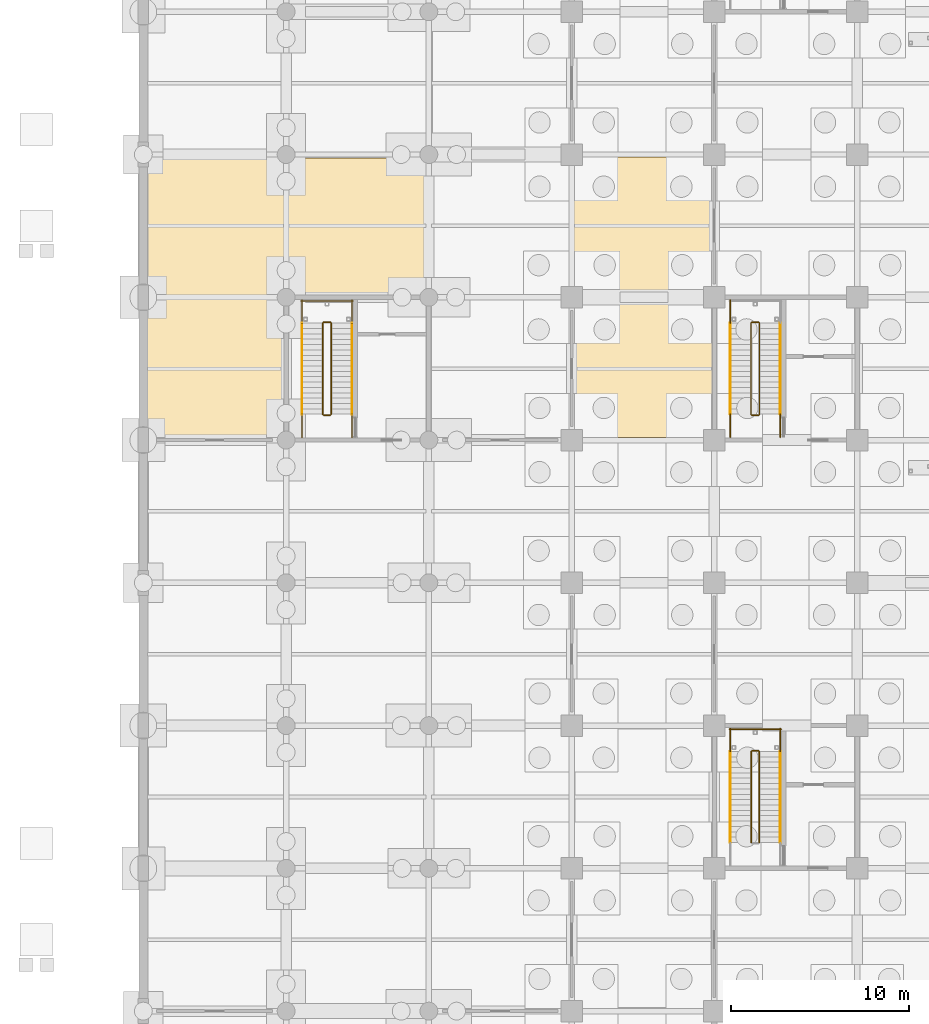
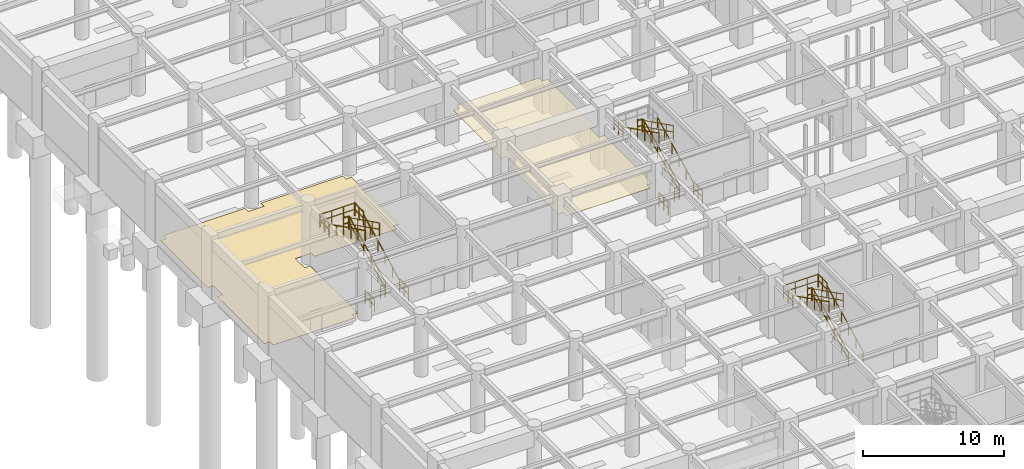
# One storey, part 90 of 97: 28 railings, 2 coverings.
"""IFC4 building model written with IfcOpenShell, lengths in metres."""

from ifc_helpers import new_model, si_unit, direction, frame, origin, origin_2d, place, context, subcontext, project, spatial, polyline, circle, outline, extrude, material, layer, layer_set, type_object, element, save


model = new_model("IFC4")

# Units and contexts
model_context = context("Model", 3, precision=1e-05, world=origin(), true_north=direction((0.0, 1.0)))
body_context = subcontext(model_context, "Body", "Model", "MODEL_VIEW")
ifc_project = project(units=[si_unit("LENGTHUNIT", "METRE"), si_unit("AREAUNIT", "SQUARE_METRE"), si_unit("VOLUMEUNIT", "CUBIC_METRE"), si_unit("PLANEANGLEUNIT", "RADIAN"), si_unit("MASSUNIT", "GRAM", prefix="KILO")], contexts=[model_context])

# Site, building, storey
site_placement = place(None, origin())
site = spatial("IfcSite", under=ifc_project, at=site_placement, CompositionType="ELEMENT")
building_placement = place(site_placement, origin())
building = spatial("IfcBuilding", under=site, at=building_placement, Name="Haebicheon Civic Stadium", CompositionType="ELEMENT")
storey_placement = place(building_placement, frame((0.0, 0.0, -5.39990234375)))
storey = spatial("IfcBuildingStorey", under=building, at=storey_placement, Name="B1", CompositionType="ELEMENT", Elevation=-5.39990234375)

# Coverings
ifc_material_1 = material(Name="Perforated mineral-fibre acoustic board", Category="gypsum")
ifc_layer_1 = layer(ifc_material_1, 0.0400390625, Name="Perforated mineral-fibre acoustic board")
ifc_layer_set_1 = layer_set([ifc_layer_1], Name="Perforated mineral-fibre acoustic board")
covering_type_1 = type_object("IfcCoveringType", Name="COV-CLG-AC", PredefinedType="CEILING", material=ifc_layer_set_1)
covering_1_placement = place(storey_placement, frame((0.0, 0.0, 2.809814453125)))
element("IfcCovering", 1, at=covering_1_placement, inside=storey, type_object=covering_type_1, material=ifc_layer_set_1, Name="B1 Doping Control and Medical Examination Suite acoustic ceiling", PredefinedType="CEILING", context=body_context, shape_type="SweptSolid", body=[
    extrude(outline(polyline([(24.594970703125, 80.14501953125), (24.594970703125, 80.594970703125), (24.14501953125, 80.594970703125), (24.14501953125, 87.405029296875), (24.594970703125, 87.405029296875), (24.594970703125, 88.594970703125), (24.14501953125, 88.594970703125), (24.14501953125, 95.405029296875), (24.594970703125, 95.405029296875), (24.594970703125, 95.85498046875), (31.405029296875, 95.85498046875), (31.405029296875, 95.405029296875), (31.85498046875, 95.405029296875), (31.85498046875, 88.594970703125), (31.405029296875, 88.594970703125), (31.405029296875, 87.405029296875), (31.85498046875, 87.405029296875), (31.85498046875, 80.594970703125), (31.405029296875, 80.594970703125), (31.405029296875, 80.14501953125), (24.594970703125, 80.14501953125)])), origin(), (0.0, 0.0, 1.0), 0.0400390625),
])
ifc_material_2 = material(Name="Quartz epoxy resin mortar", Category="concrete")
ifc_layer_2 = layer(ifc_material_2, 0.030029296875, Name="Quartz epoxy resin mortar")
ifc_layer_set_2 = layer_set([ifc_layer_2], Name="Quartz epoxy resin mortar")
covering_type_2 = type_object("IfcCoveringType", Name="COV-FLR-EPX", PredefinedType="FLOORING", material=ifc_layer_set_2)
covering_2_placement = place(storey_placement, origin())
element("IfcCovering", 2, at=covering_2_placement, inside=storey, type_object=covering_type_2, material=ifc_layer_set_2, Name="B1 Bicycle Parking and Locker Store non-slip floor finish", PredefinedType="FLOORING", context=body_context, shape_type="SweptSolid", body=[
    extrude(outline(polyline([(0.64990234375, 80.199951171875), (0.64990234375, 80.64990234375), (0.199951171875, 80.64990234375), (0.199951171875, 87.35009765625), (0.64990234375, 87.35009765625), (0.64990234375, 88.64990234375), (0.199951171875, 88.64990234375), (0.199951171875, 95.35009765625), (0.64990234375, 95.35009765625), (0.64990234375, 95.800048828125), (7.35009765625, 95.800048828125), (7.35009765625, 95.35009765625), (8.64990234375, 95.35009765625), (8.64990234375, 95.800048828125), (15.35009765625, 95.800048828125), (15.35009765625, 95.35009765625), (15.800048828125, 95.35009765625), (15.800048828125, 88.64990234375), (15.35009765625, 88.64990234375), (15.35009765625, 88.199951171875), (8.64990234375, 88.199951171875), (8.64990234375, 88.64990234375), (7.35009765625, 88.64990234375), (7.35009765625, 87.35009765625), (7.800048828125, 87.35009765625), (7.800048828125, 80.64990234375), (7.35009765625, 80.64990234375), (7.35009765625, 80.199951171875), (0.64990234375, 80.199951171875)])), origin(), (0.0, 0.0, 1.0), 0.02978515625),
])

# Railings
ifc_material_3 = material(Name="Galvanised painted steel SM355", Category="steel")
railing_type_1 = type_object("IfcRailingType", Name="RL-GRD-1150", PredefinedType="GUARDRAIL", material=ifc_material_3)
railing_1_placement = place(storey_placement, frame((34.510009765625, 57.449951171875, 0.14990234375)))
element("IfcRailing", 3, at=railing_1_placement, inside=storey, type_object=railing_type_1, material=ifc_material_3, Name="B1 ST-02 stair guard 1", PredefinedType="GUARDRAIL", context=body_context, shape_type="SweptSolid", body=[
    extrude(circle(Radius=0.02392578125, at=origin_2d()), frame((0.0, 0.0, 1.1259765625), z_axis=(0.0, 0.894427191, 0.4472135955), x_axis=(-1.0, 0.0, 0.0)), (0.0, 0.0, 1.0), 5.7021484375),
    extrude(circle(Radius=0.02392578125, at=origin_2d()), frame((0.0, 0.0, 0.574951171875), z_axis=(0.0, 0.894427191, 0.4472135955), x_axis=(-1.0, 0.0, 0.0)), (0.0, 0.0, 1.0), 5.7021484375),
    extrude(circle(Radius=0.02099609375, at=origin_2d()), origin(), (0.0, 0.0, 1.0), 1.101806640625),
    extrude(circle(Radius=0.02099609375, at=origin_2d()), frame((0.0, 1.02001953125, 0.510009765625)), (0.0, 0.0, 1.0), 1.101806640625),
    extrude(circle(Radius=0.02099609375, at=origin_2d()), frame((0.0, 2.0400390625, 1.02001953125)), (0.0, 0.0, 1.0), 1.101806640625),
    extrude(circle(Radius=0.02099609375, at=origin_2d()), frame((0.0, 3.06005859375, 1.530029296875)), (0.0, 0.0, 1.0), 1.101806640625),
    extrude(circle(Radius=0.02099609375, at=origin_2d()), frame((0.0, 4.080078125, 2.0400390625)), (0.0, 0.0, 1.0), 1.101806640625),
    extrude(circle(Radius=0.02099609375, at=origin_2d()), frame((0.0, 5.10009765625, 2.550048828125)), (0.0, 0.0, 1.0), 1.101806640625),
])
railing_2_placement = place(storey_placement, frame((34.4599609375, 62.60009765625, 2.699951171875)))
element("IfcRailing", 4, at=railing_2_placement, inside=storey, type_object=railing_type_1, material=ifc_material_3, Name="B1 ST-02 stair guard 2", PredefinedType="GUARDRAIL", context=body_context, shape_type="SweptSolid", body=[
    extrude(circle(Radius=0.02392578125, at=origin_2d()), frame((0.0, 0.0, 1.1259765625), z_axis=(-1.0, 0.0, 0.0), x_axis=(0.0, -1.0, 0.0)), (0.0, 0.0, 1.0), 0.33984375),
    extrude(circle(Radius=0.02392578125, at=origin_2d()), frame((0.0, 0.0, 0.574951171875), z_axis=(-1.0, 0.0, 0.0), x_axis=(0.0, -1.0, 0.0)), (0.0, 0.0, 1.0), 0.33984375),
    extrude(circle(Radius=0.02099609375, at=origin_2d()), origin(), (0.0, 0.0, 1.0), 1.101806640625),
    extrude(circle(Radius=0.02099609375, at=origin_2d()), frame((-0.33984375, 0.0, 0.0)), (0.0, 0.0, 1.0), 1.101806640625),
])
for number, where, name in (
    (5, (35.68994140625, 62.550048828125, 2.699951171875), "B1 ST-02 stair guard 3"),
    (6, (32.889892578125, 62.550048828125, 2.699951171875), "B1 ST-02 stair guard 4"),
):
    element("IfcRailing", number, at=place(storey_placement, frame(where)), inside=storey, type_object=railing_type_1, material=ifc_material_3, Name=name, PredefinedType="GUARDRAIL", context=body_context, shape_type="SweptSolid", body=[
        extrude(circle(Radius=0.02392578125, at=origin_2d()), frame((0.0, 0.0, 1.1259765625), z_axis=(0.0, 1.0, 0.0), x_axis=(-1.0, 0.0, 0.0)), (0.0, 0.0, 1.0), 1.2900390625),
        extrude(circle(Radius=0.02392578125, at=origin_2d()), frame((0.0, 0.0, 0.574951171875), z_axis=(0.0, 1.0, 0.0), x_axis=(-1.0, 0.0, 0.0)), (0.0, 0.0, 1.0), 1.2900390625),
        extrude(circle(Radius=0.02099609375, at=origin_2d()), origin(), (0.0, 0.0, 1.0), 1.101806640625),
        extrude(circle(Radius=0.02099609375, at=origin_2d()), frame((0.0, 0.64501953125, 0.0)), (0.0, 0.0, 1.0), 1.101806640625),
        extrude(circle(Radius=0.02099609375, at=origin_2d()), frame((0.0, 1.2900390625, 0.0)), (0.0, 0.0, 1.0), 1.101806640625),
    ])
railing_3_placement = place(storey_placement, frame((35.739990234375, 63.7900390625, 2.699951171875)))
element("IfcRailing", 7, at=railing_3_placement, inside=storey, type_object=railing_type_1, material=ifc_material_3, Name="B1 ST-02 stair guard 5", PredefinedType="GUARDRAIL", context=body_context, shape_type="SweptSolid", body=[
    extrude(circle(Radius=0.02392578125, at=origin_2d()), frame((0.0, 0.0, 1.1259765625), z_axis=(-1.0, 0.0, 0.0), x_axis=(0.0, -1.0, 0.0)), (0.0, 0.0, 1.0), 2.89990234375),
    extrude(circle(Radius=0.02392578125, at=origin_2d()), frame((0.0, 0.0, 0.574951171875), z_axis=(-1.0, 0.0, 0.0), x_axis=(0.0, -1.0, 0.0)), (0.0, 0.0, 1.0), 2.89990234375),
    extrude(circle(Radius=0.02099609375, at=origin_2d()), origin(), (0.0, 0.0, 1.0), 1.101806640625),
    extrude(circle(Radius=0.02099609375, at=origin_2d()), frame((-0.966552734375, 0.0, 0.0)), (0.0, 0.0, 1.0), 1.101806640625),
    extrude(circle(Radius=0.02099609375, at=origin_2d()), frame((-1.933349609375, 0.0, 0.0)), (0.0, 0.0, 1.0), 1.101806640625),
    extrude(circle(Radius=0.02099609375, at=origin_2d()), frame((-2.89990234375, 0.0, 0.0)), (0.0, 0.0, 1.0), 1.101806640625),
])
railing_4_placement = place(storey_placement, frame((34.070068359375, 62.550048828125, 2.849853515625)))
element("IfcRailing", 8, at=railing_4_placement, inside=storey, type_object=railing_type_1, material=ifc_material_3, Name="B1 ST-02 stair guard 6", PredefinedType="GUARDRAIL", context=body_context, shape_type="SweptSolid", body=[
    extrude(circle(Radius=0.02392578125, at=origin_2d()), frame((0.0, 0.0, 1.1259765625), z_axis=(0.0, -0.894427191, 0.4472135955), x_axis=(1.0, 0.0, 0.0)), (0.0, 0.0, 1.0), 5.7021484375),
    extrude(circle(Radius=0.02392578125, at=origin_2d()), frame((0.0, 0.0, 0.574951171875), z_axis=(0.0, -0.894427191, 0.4472135955), x_axis=(1.0, 0.0, 0.0)), (0.0, 0.0, 1.0), 5.7021484375),
    extrude(circle(Radius=0.02099609375, at=origin_2d()), origin(), (0.0, 0.0, 1.0), 1.101806640625),
    extrude(circle(Radius=0.02099609375, at=origin_2d()), frame((0.0, -1.02001953125, 0.510009765625)), (0.0, 0.0, 1.0), 1.101806640625),
    extrude(circle(Radius=0.02099609375, at=origin_2d()), frame((0.0, -2.0400390625, 1.02001953125)), (0.0, 0.0, 1.0), 1.101806640625),
    extrude(circle(Radius=0.02099609375, at=origin_2d()), frame((0.0, -3.06005859375, 1.530029296875)), (0.0, 0.0, 1.0), 1.101806640625),
    extrude(circle(Radius=0.02099609375, at=origin_2d()), frame((0.0, -4.080078125, 2.0400390625)), (0.0, 0.0, 1.0), 1.101806640625),
    extrude(circle(Radius=0.02099609375, at=origin_2d()), frame((0.0, -5.10009765625, 2.550048828125)), (0.0, 0.0, 1.0), 1.101806640625),
])
railing_5_placement = place(storey_placement, frame((34.530029296875, 81.449951171875, 0.14990234375)))
element("IfcRailing", 9, at=railing_5_placement, inside=storey, type_object=railing_type_1, material=ifc_material_3, Name="B1 ST-03 stair guard 1", PredefinedType="GUARDRAIL", context=body_context, shape_type="SweptSolid", body=[
    extrude(circle(Radius=0.02392578125, at=origin_2d()), frame((0.0, 0.0, 1.1259765625), z_axis=(0.0, 0.894427191, 0.4472135955), x_axis=(-1.0, 0.0, 0.0)), (0.0, 0.0, 1.0), 5.7021484375),
    extrude(circle(Radius=0.02392578125, at=origin_2d()), frame((0.0, 0.0, 0.574951171875), z_axis=(0.0, 0.894427191, 0.4472135955), x_axis=(-1.0, 0.0, 0.0)), (0.0, 0.0, 1.0), 5.7021484375),
    extrude(circle(Radius=0.02099609375, at=origin_2d()), origin(), (0.0, 0.0, 1.0), 1.101806640625),
    extrude(circle(Radius=0.02099609375, at=origin_2d()), frame((0.0, 1.02001953125, 0.510009765625)), (0.0, 0.0, 1.0), 1.101806640625),
    extrude(circle(Radius=0.02099609375, at=origin_2d()), frame((0.0, 2.0400390625, 1.02001953125)), (0.0, 0.0, 1.0), 1.101806640625),
    extrude(circle(Radius=0.02099609375, at=origin_2d()), frame((0.0, 3.06005859375, 1.530029296875)), (0.0, 0.0, 1.0), 1.101806640625),
    extrude(circle(Radius=0.02099609375, at=origin_2d()), frame((0.0, 4.080078125, 2.0400390625)), (0.0, 0.0, 1.0), 1.101806640625),
    extrude(circle(Radius=0.02099609375, at=origin_2d()), frame((0.0, 5.10009765625, 2.550048828125)), (0.0, 0.0, 1.0), 1.101806640625),
])
railing_6_placement = place(storey_placement, frame((34.47998046875, 86.60009765625, 2.699951171875)))
element("IfcRailing", 10, at=railing_6_placement, inside=storey, type_object=railing_type_1, material=ifc_material_3, Name="B1 ST-03 stair guard 2", PredefinedType="GUARDRAIL", context=body_context, shape_type="SweptSolid", body=[
    extrude(circle(Radius=0.02392578125, at=origin_2d()), frame((0.0, 0.0, 1.1259765625), z_axis=(-1.0, 0.0, 0.0), x_axis=(0.0, -1.0, 0.0)), (0.0, 0.0, 1.0), 0.3798828125),
    extrude(circle(Radius=0.02392578125, at=origin_2d()), frame((0.0, 0.0, 0.574951171875), z_axis=(-1.0, 0.0, 0.0), x_axis=(0.0, -1.0, 0.0)), (0.0, 0.0, 1.0), 0.3798828125),
    extrude(circle(Radius=0.02099609375, at=origin_2d()), origin(), (0.0, 0.0, 1.0), 1.101806640625),
    extrude(circle(Radius=0.02099609375, at=origin_2d()), frame((-0.3798828125, 0.0, 0.0)), (0.0, 0.0, 1.0), 1.101806640625),
])
railing_7_placement = place(storey_placement, frame((32.889892578125, 86.550048828125, 2.699951171875)))
element("IfcRailing", 11, at=railing_7_placement, inside=storey, type_object=railing_type_1, material=ifc_material_3, Name="B1 ST-03 stair guard 4", PredefinedType="GUARDRAIL", context=body_context, shape_type="SweptSolid", body=[
    extrude(circle(Radius=0.02392578125, at=origin_2d()), frame((0.0, 0.0, 1.1259765625), z_axis=(0.0, 1.0, 0.0), x_axis=(-1.0, 0.0, 0.0)), (0.0, 0.0, 1.0), 1.2900390625),
    extrude(circle(Radius=0.02392578125, at=origin_2d()), frame((0.0, 0.0, 0.574951171875), z_axis=(0.0, 1.0, 0.0), x_axis=(-1.0, 0.0, 0.0)), (0.0, 0.0, 1.0), 1.2900390625),
    extrude(circle(Radius=0.02099609375, at=origin_2d()), origin(), (0.0, 0.0, 1.0), 1.101806640625),
    extrude(circle(Radius=0.02099609375, at=origin_2d()), frame((0.0, 0.64501953125, 0.0)), (0.0, 0.0, 1.0), 1.101806640625),
    extrude(circle(Radius=0.02099609375, at=origin_2d()), frame((0.0, 1.2900390625, 0.0)), (0.0, 0.0, 1.0), 1.101806640625),
])
railing_8_placement = place(storey_placement, frame((34.050048828125, 86.550048828125, 2.849853515625)))
element("IfcRailing", 12, at=railing_8_placement, inside=storey, type_object=railing_type_1, material=ifc_material_3, Name="B1 ST-03 stair guard 6", PredefinedType="GUARDRAIL", context=body_context, shape_type="SweptSolid", body=[
    extrude(circle(Radius=0.02392578125, at=origin_2d()), frame((0.0, 0.0, 1.1259765625), z_axis=(0.0, -0.894427191, 0.4472135955), x_axis=(1.0, 0.0, 0.0)), (0.0, 0.0, 1.0), 5.7021484375),
    extrude(circle(Radius=0.02392578125, at=origin_2d()), frame((0.0, 0.0, 0.574951171875), z_axis=(0.0, -0.894427191, 0.4472135955), x_axis=(1.0, 0.0, 0.0)), (0.0, 0.0, 1.0), 5.7021484375),
    extrude(circle(Radius=0.02099609375, at=origin_2d()), origin(), (0.0, 0.0, 1.0), 1.101806640625),
    extrude(circle(Radius=0.02099609375, at=origin_2d()), frame((0.0, -1.02001953125, 0.510009765625)), (0.0, 0.0, 1.0), 1.101806640625),
    extrude(circle(Radius=0.02099609375, at=origin_2d()), frame((0.0, -2.0400390625, 1.02001953125)), (0.0, 0.0, 1.0), 1.101806640625),
    extrude(circle(Radius=0.02099609375, at=origin_2d()), frame((0.0, -3.06005859375, 1.530029296875)), (0.0, 0.0, 1.0), 1.101806640625),
    extrude(circle(Radius=0.02099609375, at=origin_2d()), frame((0.0, -4.080078125, 2.0400390625)), (0.0, 0.0, 1.0), 1.101806640625),
    extrude(circle(Radius=0.02099609375, at=origin_2d()), frame((0.0, -5.10009765625, 2.550048828125)), (0.0, 0.0, 1.0), 1.101806640625),
])
railing_9_placement = place(storey_placement, frame((34.47998046875, 81.39990234375, 0.0)))
element("IfcRailing", 13, at=railing_9_placement, inside=storey, type_object=railing_type_1, material=ifc_material_3, Name="B1 ST-03 stair guard 7", PredefinedType="GUARDRAIL", context=body_context, shape_type="SweptSolid", body=[
    extrude(circle(Radius=0.02392578125, at=origin_2d()), frame((0.0, 0.0, 1.1259765625), z_axis=(-1.0, 0.0, 0.0), x_axis=(0.0, -1.0, 0.0)), (0.0, 0.0, 1.0), 0.3798828125),
    extrude(circle(Radius=0.02392578125, at=origin_2d()), frame((0.0, 0.0, 0.574951171875), z_axis=(-1.0, 0.0, 0.0), x_axis=(0.0, -1.0, 0.0)), (0.0, 0.0, 1.0), 0.3798828125),
    extrude(circle(Radius=0.02099609375, at=origin_2d()), origin(), (0.0, 0.0, 1.0), 1.101806640625),
    extrude(circle(Radius=0.02099609375, at=origin_2d()), frame((-0.3798828125, 0.0, 0.0)), (0.0, 0.0, 1.0), 1.101806640625),
])
for number, where, name in (
    (14, (35.68994140625, 80.159912109375, 0.0), "B1 ST-03 stair guard 8"),
    (15, (32.889892578125, 80.159912109375, 0.0), "B1 ST-03 stair guard 9"),
):
    element("IfcRailing", number, at=place(storey_placement, frame(where)), inside=storey, type_object=railing_type_1, material=ifc_material_3, Name=name, PredefinedType="GUARDRAIL", context=body_context, shape_type="SweptSolid", body=[
        extrude(circle(Radius=0.02392578125, at=origin_2d()), frame((0.0, 0.0, 1.1259765625), z_axis=(0.0, 1.0, 0.0), x_axis=(-1.0, 0.0, 0.0)), (0.0, 0.0, 1.0), 1.2900390625),
        extrude(circle(Radius=0.02392578125, at=origin_2d()), frame((0.0, 0.0, 0.574951171875), z_axis=(0.0, 1.0, 0.0), x_axis=(-1.0, 0.0, 0.0)), (0.0, 0.0, 1.0), 1.2900390625),
        extrude(circle(Radius=0.02099609375, at=origin_2d()), origin(), (0.0, 0.0, 1.0), 1.101806640625),
        extrude(circle(Radius=0.02099609375, at=origin_2d()), frame((0.0, 0.64501953125, 0.0)), (0.0, 0.0, 1.0), 1.101806640625),
        extrude(circle(Radius=0.02099609375, at=origin_2d()), frame((0.0, 1.2900390625, 0.0)), (0.0, 0.0, 1.0), 1.101806640625),
    ])
railing_10_placement = place(storey_placement, frame((10.530029296875, 81.449951171875, 0.14990234375)))
element("IfcRailing", 16, at=railing_10_placement, inside=storey, type_object=railing_type_1, material=ifc_material_3, Name="B1 ST-15 stair guard 1", PredefinedType="GUARDRAIL", context=body_context, shape_type="SweptSolid", body=[
    extrude(circle(Radius=0.02392578125, at=origin_2d()), frame((0.0, 0.0, 1.1259765625), z_axis=(0.0, 0.894427191, 0.4472135955), x_axis=(-1.0, 0.0, 0.0)), (0.0, 0.0, 1.0), 5.7021484375),
    extrude(circle(Radius=0.02392578125, at=origin_2d()), frame((0.0, 0.0, 0.574951171875), z_axis=(0.0, 0.894427191, 0.4472135955), x_axis=(-1.0, 0.0, 0.0)), (0.0, 0.0, 1.0), 5.7021484375),
    extrude(circle(Radius=0.02099609375, at=origin_2d()), origin(), (0.0, 0.0, 1.0), 1.101806640625),
    extrude(circle(Radius=0.02099609375, at=origin_2d()), frame((0.0, 1.02001953125, 0.510009765625)), (0.0, 0.0, 1.0), 1.101806640625),
    extrude(circle(Radius=0.02099609375, at=origin_2d()), frame((0.0, 2.0400390625, 1.02001953125)), (0.0, 0.0, 1.0), 1.101806640625),
    extrude(circle(Radius=0.02099609375, at=origin_2d()), frame((0.0, 3.06005859375, 1.530029296875)), (0.0, 0.0, 1.0), 1.101806640625),
    extrude(circle(Radius=0.02099609375, at=origin_2d()), frame((0.0, 4.080078125, 2.0400390625)), (0.0, 0.0, 1.0), 1.101806640625),
    extrude(circle(Radius=0.02099609375, at=origin_2d()), frame((0.0, 5.10009765625, 2.550048828125)), (0.0, 0.0, 1.0), 1.101806640625),
])
railing_11_placement = place(storey_placement, frame((10.47998046875, 86.60009765625, 2.699951171875)))
element("IfcRailing", 17, at=railing_11_placement, inside=storey, type_object=railing_type_1, material=ifc_material_3, Name="B1 ST-15 stair guard 2", PredefinedType="GUARDRAIL", context=body_context, shape_type="SweptSolid", body=[
    extrude(circle(Radius=0.02392578125, at=origin_2d()), frame((0.0, 0.0, 1.1259765625), z_axis=(-1.0, 0.0, 0.0), x_axis=(0.0, -1.0, 0.0)), (0.0, 0.0, 1.0), 0.3798828125),
    extrude(circle(Radius=0.02392578125, at=origin_2d()), frame((0.0, 0.0, 0.574951171875), z_axis=(-1.0, 0.0, 0.0), x_axis=(0.0, -1.0, 0.0)), (0.0, 0.0, 1.0), 0.3798828125),
    extrude(circle(Radius=0.02099609375, at=origin_2d()), origin(), (0.0, 0.0, 1.0), 1.101806640625),
    extrude(circle(Radius=0.02099609375, at=origin_2d()), frame((-0.3798828125, 0.0, 0.0)), (0.0, 0.0, 1.0), 1.101806640625),
])
for number, where, name in (
    (18, (11.68994140625, 86.550048828125, 2.699951171875), "B1 ST-15 stair guard 3"),
    (19, (8.889892578125, 86.550048828125, 2.699951171875), "B1 ST-15 stair guard 4"),
):
    element("IfcRailing", number, at=place(storey_placement, frame(where)), inside=storey, type_object=railing_type_1, material=ifc_material_3, Name=name, PredefinedType="GUARDRAIL", context=body_context, shape_type="SweptSolid", body=[
        extrude(circle(Radius=0.02392578125, at=origin_2d()), frame((0.0, 0.0, 1.1259765625), z_axis=(0.0, 1.0, 0.0), x_axis=(-1.0, 0.0, 0.0)), (0.0, 0.0, 1.0), 1.2900390625),
        extrude(circle(Radius=0.02392578125, at=origin_2d()), frame((0.0, 0.0, 0.574951171875), z_axis=(0.0, 1.0, 0.0), x_axis=(-1.0, 0.0, 0.0)), (0.0, 0.0, 1.0), 1.2900390625),
        extrude(circle(Radius=0.02099609375, at=origin_2d()), origin(), (0.0, 0.0, 1.0), 1.101806640625),
        extrude(circle(Radius=0.02099609375, at=origin_2d()), frame((0.0, 0.64501953125, 0.0)), (0.0, 0.0, 1.0), 1.101806640625),
        extrude(circle(Radius=0.02099609375, at=origin_2d()), frame((0.0, 1.2900390625, 0.0)), (0.0, 0.0, 1.0), 1.101806640625),
    ])
railing_12_placement = place(storey_placement, frame((11.739990234375, 87.7900390625, 2.699951171875)))
element("IfcRailing", 20, at=railing_12_placement, inside=storey, type_object=railing_type_1, material=ifc_material_3, Name="B1 ST-15 stair guard 5", PredefinedType="GUARDRAIL", context=body_context, shape_type="SweptSolid", body=[
    extrude(circle(Radius=0.02392578125, at=origin_2d()), frame((0.0, 0.0, 1.1259765625), z_axis=(-1.0, 0.0, 0.0), x_axis=(0.0, -1.0, 0.0)), (0.0, 0.0, 1.0), 2.89990234375),
    extrude(circle(Radius=0.02392578125, at=origin_2d()), frame((0.0, 0.0, 0.574951171875), z_axis=(-1.0, 0.0, 0.0), x_axis=(0.0, -1.0, 0.0)), (0.0, 0.0, 1.0), 2.89990234375),
    extrude(circle(Radius=0.02099609375, at=origin_2d()), origin(), (0.0, 0.0, 1.0), 1.101806640625),
    extrude(circle(Radius=0.02099609375, at=origin_2d()), frame((-0.966552734375, 0.0, 0.0)), (0.0, 0.0, 1.0), 1.101806640625),
    extrude(circle(Radius=0.02099609375, at=origin_2d()), frame((-1.933349609375, 0.0, 0.0)), (0.0, 0.0, 1.0), 1.101806640625),
    extrude(circle(Radius=0.02099609375, at=origin_2d()), frame((-2.89990234375, 0.0, 0.0)), (0.0, 0.0, 1.0), 1.101806640625),
])
railing_13_placement = place(storey_placement, frame((10.050048828125, 86.550048828125, 2.849853515625)))
element("IfcRailing", 21, at=railing_13_placement, inside=storey, type_object=railing_type_1, material=ifc_material_3, Name="B1 ST-15 stair guard 6", PredefinedType="GUARDRAIL", context=body_context, shape_type="SweptSolid", body=[
    extrude(circle(Radius=0.02392578125, at=origin_2d()), frame((0.0, 0.0, 1.1259765625), z_axis=(0.0, -0.894427191, 0.4472135955), x_axis=(1.0, 0.0, 0.0)), (0.0, 0.0, 1.0), 5.7021484375),
    extrude(circle(Radius=0.02392578125, at=origin_2d()), frame((0.0, 0.0, 0.574951171875), z_axis=(0.0, -0.894427191, 0.4472135955), x_axis=(1.0, 0.0, 0.0)), (0.0, 0.0, 1.0), 5.7021484375),
    extrude(circle(Radius=0.02099609375, at=origin_2d()), origin(), (0.0, 0.0, 1.0), 1.101806640625),
    extrude(circle(Radius=0.02099609375, at=origin_2d()), frame((0.0, -1.02001953125, 0.510009765625)), (0.0, 0.0, 1.0), 1.101806640625),
    extrude(circle(Radius=0.02099609375, at=origin_2d()), frame((0.0, -2.0400390625, 1.02001953125)), (0.0, 0.0, 1.0), 1.101806640625),
    extrude(circle(Radius=0.02099609375, at=origin_2d()), frame((0.0, -3.06005859375, 1.530029296875)), (0.0, 0.0, 1.0), 1.101806640625),
    extrude(circle(Radius=0.02099609375, at=origin_2d()), frame((0.0, -4.080078125, 2.0400390625)), (0.0, 0.0, 1.0), 1.101806640625),
    extrude(circle(Radius=0.02099609375, at=origin_2d()), frame((0.0, -5.10009765625, 2.550048828125)), (0.0, 0.0, 1.0), 1.101806640625),
])
railing_14_placement = place(storey_placement, frame((10.47998046875, 81.39990234375, 0.0)))
element("IfcRailing", 22, at=railing_14_placement, inside=storey, type_object=railing_type_1, material=ifc_material_3, Name="B1 ST-15 stair guard 7", PredefinedType="GUARDRAIL", context=body_context, shape_type="SweptSolid", body=[
    extrude(circle(Radius=0.02392578125, at=origin_2d()), frame((0.0, 0.0, 1.1259765625), z_axis=(-1.0, 0.0, 0.0), x_axis=(0.0, -1.0, 0.0)), (0.0, 0.0, 1.0), 0.3798828125),
    extrude(circle(Radius=0.02392578125, at=origin_2d()), frame((0.0, 0.0, 0.574951171875), z_axis=(-1.0, 0.0, 0.0), x_axis=(0.0, -1.0, 0.0)), (0.0, 0.0, 1.0), 0.3798828125),
    extrude(circle(Radius=0.02099609375, at=origin_2d()), origin(), (0.0, 0.0, 1.0), 1.101806640625),
    extrude(circle(Radius=0.02099609375, at=origin_2d()), frame((-0.3798828125, 0.0, 0.0)), (0.0, 0.0, 1.0), 1.101806640625),
])
for number, where, name in (
    (23, (11.68994140625, 80.159912109375, 0.0), "B1 ST-15 stair guard 8"),
    (24, (8.889892578125, 80.159912109375, 0.0), "B1 ST-15 stair guard 9"),
):
    element("IfcRailing", number, at=place(storey_placement, frame(where)), inside=storey, type_object=railing_type_1, material=ifc_material_3, Name=name, PredefinedType="GUARDRAIL", context=body_context, shape_type="SweptSolid", body=[
        extrude(circle(Radius=0.02392578125, at=origin_2d()), frame((0.0, 0.0, 1.1259765625), z_axis=(0.0, 1.0, 0.0), x_axis=(-1.0, 0.0, 0.0)), (0.0, 0.0, 1.0), 1.2900390625),
        extrude(circle(Radius=0.02392578125, at=origin_2d()), frame((0.0, 0.0, 0.574951171875), z_axis=(0.0, 1.0, 0.0), x_axis=(-1.0, 0.0, 0.0)), (0.0, 0.0, 1.0), 1.2900390625),
        extrude(circle(Radius=0.02099609375, at=origin_2d()), origin(), (0.0, 0.0, 1.0), 1.101806640625),
        extrude(circle(Radius=0.02099609375, at=origin_2d()), frame((0.0, 0.64501953125, 0.0)), (0.0, 0.0, 1.0), 1.101806640625),
        extrude(circle(Radius=0.02099609375, at=origin_2d()), frame((0.0, 1.2900390625, 0.0)), (0.0, 0.0, 1.0), 1.101806640625),
    ])
ifc_material_4 = material(Name="Stainless steel 316", Category="steel")
railing_type_2 = type_object("IfcRailingType", Name="RL-HND-900", PredefinedType="HANDRAIL", material=ifc_material_4)
railing_15_placement = place(storey_placement, frame((35.68994140625, 57.449951171875, 0.14990234375)))
element("IfcRailing", 25, at=railing_15_placement, inside=storey, type_object=railing_type_2, material=ifc_material_4, Name="B1 ST-02 stair handrail 1", PredefinedType="HANDRAIL", context=body_context, shape_type="SweptSolid", body=[
    extrude(circle(Radius=0.02392578125, at=origin_2d()), frame((0.0, 0.0, 0.8759765625), z_axis=(0.0, 0.894427191, 0.4472135955), x_axis=(-1.0, 0.0, 0.0)), (0.0, 0.0, 1.0), 5.7021484375),
    extrude(circle(Radius=0.02099609375, at=origin_2d()), origin(), (0.0, 0.0, 1.0), 0.851806640625),
    extrude(circle(Radius=0.02099609375, at=origin_2d()), frame((0.0, 1.02001953125, 0.510009765625)), (0.0, 0.0, 1.0), 0.851806640625),
    extrude(circle(Radius=0.02099609375, at=origin_2d()), frame((0.0, 2.0400390625, 1.02001953125)), (0.0, 0.0, 1.0), 0.851806640625),
    extrude(circle(Radius=0.02099609375, at=origin_2d()), frame((0.0, 3.06005859375, 1.530029296875)), (0.0, 0.0, 1.0), 0.851806640625),
    extrude(circle(Radius=0.02099609375, at=origin_2d()), frame((0.0, 4.080078125, 2.0400390625)), (0.0, 0.0, 1.0), 0.851806640625),
    extrude(circle(Radius=0.02099609375, at=origin_2d()), frame((0.0, 5.10009765625, 2.550048828125)), (0.0, 0.0, 1.0), 0.851806640625),
])
railing_16_placement = place(storey_placement, frame((32.889892578125, 62.550048828125, 2.849853515625)))
element("IfcRailing", 26, at=railing_16_placement, inside=storey, type_object=railing_type_2, material=ifc_material_4, Name="B1 ST-02 stair handrail 2", PredefinedType="HANDRAIL", context=body_context, shape_type="SweptSolid", body=[
    extrude(circle(Radius=0.02392578125, at=origin_2d()), frame((0.0, 0.0, 0.8759765625), z_axis=(0.0, -0.894427191, 0.4472135955), x_axis=(1.0, 0.0, 0.0)), (0.0, 0.0, 1.0), 5.7021484375),
    extrude(circle(Radius=0.02099609375, at=origin_2d()), origin(), (0.0, 0.0, 1.0), 0.851806640625),
    extrude(circle(Radius=0.02099609375, at=origin_2d()), frame((0.0, -1.02001953125, 0.510009765625)), (0.0, 0.0, 1.0), 0.851806640625),
    extrude(circle(Radius=0.02099609375, at=origin_2d()), frame((0.0, -2.0400390625, 1.02001953125)), (0.0, 0.0, 1.0), 0.851806640625),
    extrude(circle(Radius=0.02099609375, at=origin_2d()), frame((0.0, -3.06005859375, 1.530029296875)), (0.0, 0.0, 1.0), 0.851806640625),
    extrude(circle(Radius=0.02099609375, at=origin_2d()), frame((0.0, -4.080078125, 2.0400390625)), (0.0, 0.0, 1.0), 0.851806640625),
    extrude(circle(Radius=0.02099609375, at=origin_2d()), frame((0.0, -5.10009765625, 2.550048828125)), (0.0, 0.0, 1.0), 0.851806640625),
])
railing_17_placement = place(storey_placement, frame((35.68994140625, 81.449951171875, 0.14990234375)))
element("IfcRailing", 27, at=railing_17_placement, inside=storey, type_object=railing_type_2, material=ifc_material_4, Name="B1 ST-03 stair handrail 1", PredefinedType="HANDRAIL", context=body_context, shape_type="SweptSolid", body=[
    extrude(circle(Radius=0.02392578125, at=origin_2d()), frame((0.0, 0.0, 0.8759765625), z_axis=(0.0, 0.894427191, 0.4472135955), x_axis=(-1.0, 0.0, 0.0)), (0.0, 0.0, 1.0), 5.7021484375),
    extrude(circle(Radius=0.02099609375, at=origin_2d()), origin(), (0.0, 0.0, 1.0), 0.851806640625),
    extrude(circle(Radius=0.02099609375, at=origin_2d()), frame((0.0, 1.02001953125, 0.510009765625)), (0.0, 0.0, 1.0), 0.851806640625),
    extrude(circle(Radius=0.02099609375, at=origin_2d()), frame((0.0, 2.0400390625, 1.02001953125)), (0.0, 0.0, 1.0), 0.851806640625),
    extrude(circle(Radius=0.02099609375, at=origin_2d()), frame((0.0, 3.06005859375, 1.530029296875)), (0.0, 0.0, 1.0), 0.851806640625),
    extrude(circle(Radius=0.02099609375, at=origin_2d()), frame((0.0, 4.080078125, 2.0400390625)), (0.0, 0.0, 1.0), 0.851806640625),
    extrude(circle(Radius=0.02099609375, at=origin_2d()), frame((0.0, 5.10009765625, 2.550048828125)), (0.0, 0.0, 1.0), 0.851806640625),
])
railing_18_placement = place(storey_placement, frame((32.889892578125, 86.550048828125, 2.849853515625)))
element("IfcRailing", 28, at=railing_18_placement, inside=storey, type_object=railing_type_2, material=ifc_material_4, Name="B1 ST-03 stair handrail 2", PredefinedType="HANDRAIL", context=body_context, shape_type="SweptSolid", body=[
    extrude(circle(Radius=0.02392578125, at=origin_2d()), frame((0.0, 0.0, 0.8759765625), z_axis=(0.0, -0.894427191, 0.4472135955), x_axis=(1.0, 0.0, 0.0)), (0.0, 0.0, 1.0), 5.7021484375),
    extrude(circle(Radius=0.02099609375, at=origin_2d()), origin(), (0.0, 0.0, 1.0), 0.851806640625),
    extrude(circle(Radius=0.02099609375, at=origin_2d()), frame((0.0, -1.02001953125, 0.510009765625)), (0.0, 0.0, 1.0), 0.851806640625),
    extrude(circle(Radius=0.02099609375, at=origin_2d()), frame((0.0, -2.0400390625, 1.02001953125)), (0.0, 0.0, 1.0), 0.851806640625),
    extrude(circle(Radius=0.02099609375, at=origin_2d()), frame((0.0, -3.06005859375, 1.530029296875)), (0.0, 0.0, 1.0), 0.851806640625),
    extrude(circle(Radius=0.02099609375, at=origin_2d()), frame((0.0, -4.080078125, 2.0400390625)), (0.0, 0.0, 1.0), 0.851806640625),
    extrude(circle(Radius=0.02099609375, at=origin_2d()), frame((0.0, -5.10009765625, 2.550048828125)), (0.0, 0.0, 1.0), 0.851806640625),
])
railing_19_placement = place(storey_placement, frame((11.68994140625, 81.449951171875, 0.14990234375)))
element("IfcRailing", 29, at=railing_19_placement, inside=storey, type_object=railing_type_2, material=ifc_material_4, Name="B1 ST-15 stair handrail 1", PredefinedType="HANDRAIL", context=body_context, shape_type="SweptSolid", body=[
    extrude(circle(Radius=0.02392578125, at=origin_2d()), frame((0.0, 0.0, 0.8759765625), z_axis=(0.0, 0.894427191, 0.4472135955), x_axis=(-1.0, 0.0, 0.0)), (0.0, 0.0, 1.0), 5.7021484375),
    extrude(circle(Radius=0.02099609375, at=origin_2d()), origin(), (0.0, 0.0, 1.0), 0.851806640625),
    extrude(circle(Radius=0.02099609375, at=origin_2d()), frame((0.0, 1.02001953125, 0.510009765625)), (0.0, 0.0, 1.0), 0.851806640625),
    extrude(circle(Radius=0.02099609375, at=origin_2d()), frame((0.0, 2.0400390625, 1.02001953125)), (0.0, 0.0, 1.0), 0.851806640625),
    extrude(circle(Radius=0.02099609375, at=origin_2d()), frame((0.0, 3.06005859375, 1.530029296875)), (0.0, 0.0, 1.0), 0.851806640625),
    extrude(circle(Radius=0.02099609375, at=origin_2d()), frame((0.0, 4.080078125, 2.0400390625)), (0.0, 0.0, 1.0), 0.851806640625),
    extrude(circle(Radius=0.02099609375, at=origin_2d()), frame((0.0, 5.10009765625, 2.550048828125)), (0.0, 0.0, 1.0), 0.851806640625),
])
railing_20_placement = place(storey_placement, frame((8.889892578125, 86.550048828125, 2.849853515625)))
element("IfcRailing", 30, at=railing_20_placement, inside=storey, type_object=railing_type_2, material=ifc_material_4, Name="B1 ST-15 stair handrail 2", PredefinedType="HANDRAIL", context=body_context, shape_type="SweptSolid", body=[
    extrude(circle(Radius=0.02392578125, at=origin_2d()), frame((0.0, 0.0, 0.8759765625), z_axis=(0.0, -0.894427191, 0.4472135955), x_axis=(1.0, 0.0, 0.0)), (0.0, 0.0, 1.0), 5.7021484375),
    extrude(circle(Radius=0.02099609375, at=origin_2d()), origin(), (0.0, 0.0, 1.0), 0.851806640625),
    extrude(circle(Radius=0.02099609375, at=origin_2d()), frame((0.0, -1.02001953125, 0.510009765625)), (0.0, 0.0, 1.0), 0.851806640625),
    extrude(circle(Radius=0.02099609375, at=origin_2d()), frame((0.0, -2.0400390625, 1.02001953125)), (0.0, 0.0, 1.0), 0.851806640625),
    extrude(circle(Radius=0.02099609375, at=origin_2d()), frame((0.0, -3.06005859375, 1.530029296875)), (0.0, 0.0, 1.0), 0.851806640625),
    extrude(circle(Radius=0.02099609375, at=origin_2d()), frame((0.0, -4.080078125, 2.0400390625)), (0.0, 0.0, 1.0), 0.851806640625),
    extrude(circle(Radius=0.02099609375, at=origin_2d()), frame((0.0, -5.10009765625, 2.550048828125)), (0.0, 0.0, 1.0), 0.851806640625),
])

save(model, "model.ifc")
